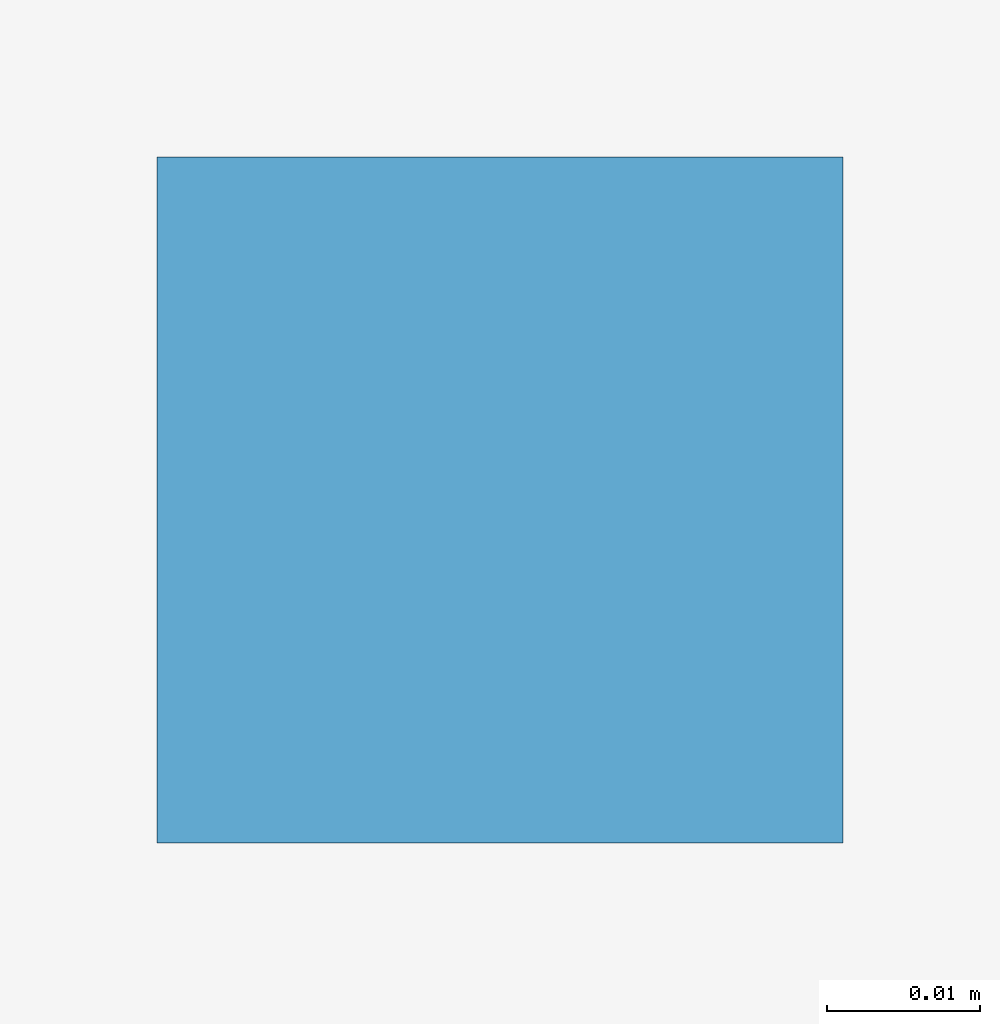
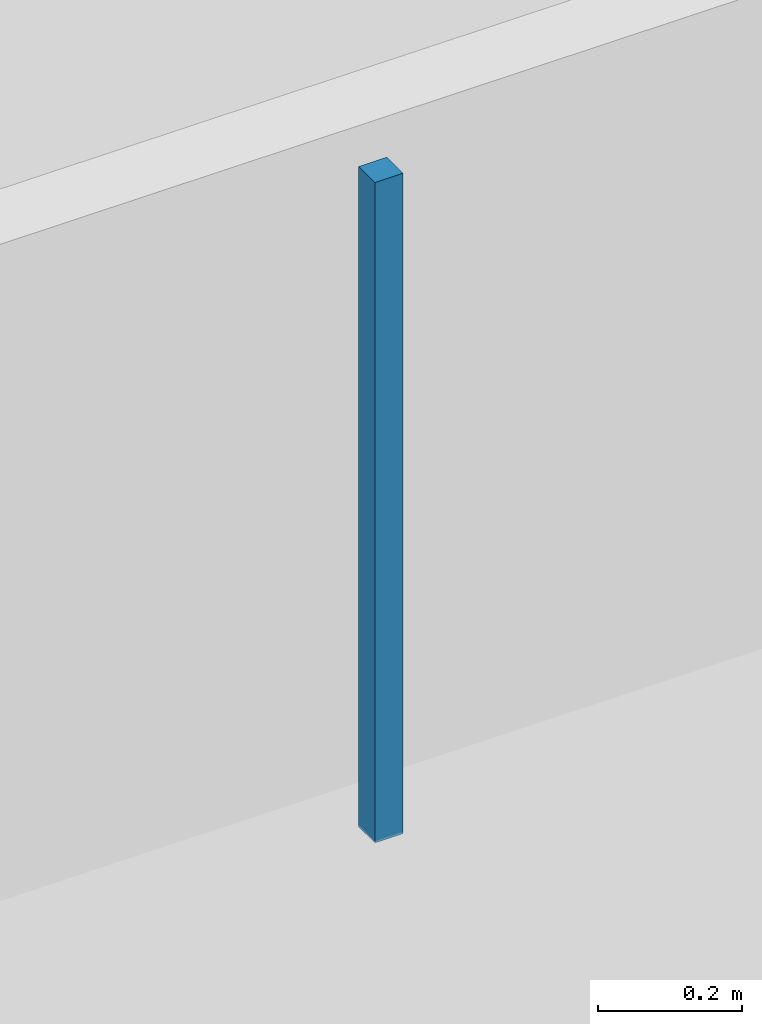
# One storey, part 115 of 140: 1 discrete accessory.
"""IFC4 building model written with IfcOpenShell, lengths in metres."""

import ifcopenshell
import ifcopenshell.guid

model = None  # the IFC model being written
_history = None  # IfcOwnerHistory: only IFC2X3 demands one
_inside = {}  # id of a spatial element -> (the spatial element, [elements in it])
_under = {}  # id of a project, library or spatial element -> (it, [spatial elements below it])
_declared = {}  # id of a project -> (the project, [libraries it declares])
_typed = {}  # id of a type object -> (the type object, [elements of that type])
_made_of = {}  # id of a material, layer set ... -> (it, [elements and type objects made of it])


def new_model(schema):
    """Start an empty IFC model of exactly this schema.

    Asked for "IFC4X3", IfcOpenShell would pick the latest addendum, in which some entities
    have other attributes; the version numbers below select the first issue.
    IFC2X3 requires an IfcOwnerHistory on every rooted entity: one is made here for all.
    """
    global model, _history
    if schema == "IFC4X3":
        model = ifcopenshell.file(schema_version=(4, 3, 0, 0))
    else:
        model = ifcopenshell.file(schema=schema)
    _inside.clear()
    _under.clear()
    _declared.clear()
    _typed.clear()
    _made_of.clear()
    _history = None
    if model.schema == "IFC2X3":
        org = make("IfcOrganization", Name="unknown")
        user = make(
            "IfcPersonAndOrganization",
            ThePerson=make("IfcPerson", FamilyName="unknown"),
            TheOrganization=org,
        )
        app = make(
            "IfcApplication",
            ApplicationDeveloper=org,
            Version="unknown",
            ApplicationFullName="unknown",
            ApplicationIdentifier="unknown",
        )
        _history = make(
            "IfcOwnerHistory",
            OwningUser=user,
            OwningApplication=app,
            ChangeAction="ADDED",
            CreationDate=0,
        )
    return model


def make(cls, **values):
    """One entity of the class cls with the attributes given. An attribute that is None is left unset."""
    return model.create_entity(
        cls, **{name: value for name, value in values.items() if value is not None}
    )


def rooted(cls, **values):
    """An entity with a GlobalId (a new one), such as an element, a storey or a relation."""
    return make(cls, GlobalId=ifcopenshell.guid.new(), OwnerHistory=_history, **values)


def si_unit(unit_type, name, prefix=None):
    """IfcSIUnit, for example si_unit("LENGTHUNIT", "METRE", prefix="MILLI")."""
    return make("IfcSIUnit", UnitType=unit_type, Prefix=prefix, Name=name)


def assignment(units):
    """IfcUnitAssignment: the units of a project."""
    return None if units is None else make("IfcUnitAssignment", Units=units)


def point(xyz):
    """IfcCartesianPoint."""
    return None if xyz is None else make("IfcCartesianPoint", Coordinates=xyz)


def direction(xyz):
    """IfcDirection."""
    return None if xyz is None else make("IfcDirection", DirectionRatios=xyz)


def frame(location, z_axis=None, x_axis=None):
    """IfcAxis2Placement3D, a coordinate frame: its origin and axes. An axis left out is left unset."""
    return make(
        "IfcAxis2Placement3D",
        Location=point(location),
        Axis=direction(z_axis),
        RefDirection=direction(x_axis),
    )


def frame_2d(location, x_axis=None):
    """IfcAxis2Placement2D, a coordinate frame in the plane: its origin and x axis."""
    return make(
        "IfcAxis2Placement2D", Location=point(location), RefDirection=direction(x_axis)
    )


def origin():
    """The frame at (0, 0, 0) with its axes left unset."""
    return frame((0.0, 0.0, 0.0))


def origin_2d():
    """The frame at (0, 0) in the plane with its x axis left unset."""
    return frame_2d((0.0, 0.0))


def place(relative_to, where):
    """IfcLocalPlacement: puts the frame where relative to a parent placement (None: the world)."""
    return make(
        "IfcLocalPlacement", PlacementRelTo=relative_to, RelativePlacement=where
    )


def context(
    kind, dimensions, precision=None, world=None, true_north=None, identifier=None
):
    """IfcGeometricRepresentationContext, for example the 3D "Model" context."""
    return make(
        "IfcGeometricRepresentationContext",
        ContextIdentifier=identifier,
        ContextType=kind,
        CoordinateSpaceDimension=dimensions,
        Precision=precision,
        WorldCoordinateSystem=world,
        TrueNorth=true_north,
    )


def subcontext(parent, identifier, kind, view, scale=None):
    """IfcGeometricRepresentationSubContext, for example "Body" below "Model"."""
    return make(
        "IfcGeometricRepresentationSubContext",
        ContextIdentifier=identifier,
        ContextType=kind,
        ParentContext=parent,
        TargetScale=scale,
        TargetView=view,
    )


def project(units=None, contexts=None):
    """IfcProject with its units and contexts."""
    return rooted(
        "IfcProject",
        Name="project",
        RepresentationContexts=contexts,
        UnitsInContext=assignment(units),
    )


def spatial(cls, under=None, at=None, **own):
    """A site, building, storey or space (cls), placed at a placement, below another one or the project."""
    s = rooted(cls, ObjectPlacement=at, **own)
    if under is not None:
        _under.setdefault(under.id(), (under, []))[1].append(s)
    return s


def profile(cls, at=None, kind="AREA", **sizes):
    """A parametric profile (cls). Its sizes go by their IFC names, for example OverallWidth=200.0."""
    return make(cls, ProfileType=kind, Position=at, **sizes)


def rectangle(**sizes):
    """IfcRectangleProfileDef."""
    return profile("IfcRectangleProfileDef", **sizes)


def extrude(swept, where, along, depth):
    """IfcExtrudedAreaSolid: the profile swept, set in the frame where, extruded along a direction by depth."""
    return make(
        "IfcExtrudedAreaSolid",
        SweptArea=swept,
        Position=where,
        ExtrudedDirection=direction(along),
        Depth=depth,
    )


def shape(context_of_items, identifier, shape_type, items):
    """IfcShapeRepresentation: the items that make up one representation, for example the "Body"."""
    return make(
        "IfcShapeRepresentation",
        ContextOfItems=context_of_items,
        RepresentationIdentifier=identifier,
        RepresentationType=shape_type,
        Items=items,
    )


def material(Name=None, Category=None):
    """IfcMaterial."""
    return make("IfcMaterial", Name=Name, Category=Category)


def made_of(thing, what):
    """Note that an element or type object is made of a material, layer set ...; save() writes the relation."""
    if what is not None:
        _made_of.setdefault(what.id(), (what, []))[1].append(thing)
    return thing


def type_object(cls, material=None, **own):
    """A type object (cls), such as IfcWallType, which elements share."""
    return made_of(rooted(cls, **own), material)


def element(
    cls,
    number,
    at=None,
    inside=None,
    cuts=None,
    type_object=None,
    material=None,
    context=None,
    identifier="Body",
    shape_type=None,
    held_by="IfcProductDefinitionShape",
    body=None,
    shapes=None,
    **own,
):
    """One element of the class cls, such as IfcWall. Its Tag is "e" and its number.

    at: its placement. inside: the storey or other place that contains it. cuts: it is an
    opening in that element (IfcRelVoidsElement). A single representation is given by context,
    identifier, shape_type and body (its items); several are given by shapes. held_by: the class
    of the entity that holds the representations. save() writes the other relations.
    """
    e = rooted(cls, Tag="e%d" % number, ObjectPlacement=at, **own)
    if body is not None:
        shapes = [shape(context, identifier, shape_type, body)]
    if shapes is not None:
        e.Representation = make(held_by, Representations=shapes)
    if inside is not None:
        _inside.setdefault(inside.id(), (inside, []))[1].append(e)
    if cuts is not None:
        rooted(
            "IfcRelVoidsElement", RelatingBuildingElement=cuts, RelatedOpeningElement=e
        )
    if type_object is not None:
        _typed.setdefault(type_object.id(), (type_object, []))[1].append(e)
    return made_of(e, material)


def aggregate(whole, parts):
    """IfcRelAggregates: a whole, such as a stair, and the parts it consists of."""
    return rooted("IfcRelAggregates", RelatingObject=whole, RelatedObjects=parts)


def save(model, path):
    """Write the relations noted so far, then the file.

    IfcRelAggregates (storeys below a building ...), IfcRelContainedInSpatialStructure (elements
    in a storey), IfcRelDefinesByType, IfcRelAssociatesMaterial and IfcRelDeclares: one each for
    every whole, place, type object, material and project.
    """
    for whole, parts in _under.values():
        aggregate(whole, parts)
    for where, things in _inside.values():
        rooted(
            "IfcRelContainedInSpatialStructure",
            RelatedElements=things,
            RelatingStructure=where,
        )
    for kind, things in _typed.values():
        rooted("IfcRelDefinesByType", RelatedObjects=things, RelatingType=kind)
    for what, things in _made_of.values():
        rooted("IfcRelAssociatesMaterial", RelatedObjects=things, RelatingMaterial=what)
    for by, libraries in _declared.values():
        rooted("IfcRelDeclares", RelatingContext=by, RelatedDefinitions=libraries)
    model.write(path)


model = new_model("IFC4")

# Units and contexts
model_context = context("Model", 3, precision=1e-05, world=origin(), true_north=direction((0.0, 1.0)))
body_context = subcontext(model_context, "Body", "Model", "MODEL_VIEW")
ifc_project = project(units=[si_unit("LENGTHUNIT", "METRE"), si_unit("AREAUNIT", "SQUARE_METRE"), si_unit("VOLUMEUNIT", "CUBIC_METRE"), si_unit("PLANEANGLEUNIT", "RADIAN"), si_unit("MASSUNIT", "GRAM", prefix="KILO"), si_unit("THERMODYNAMICTEMPERATUREUNIT", "KELVIN"), si_unit("POWERUNIT", "WATT")], contexts=[model_context])

# Site, building, storey
site_placement = place(None, origin())
site = spatial("IfcSite", under=ifc_project, at=site_placement, CompositionType="ELEMENT")
building_placement = place(site_placement, origin())
building = spatial("IfcBuilding", under=site, at=building_placement, Name="Tallowbark Science Centre", CompositionType="ELEMENT")
storey_placement = place(building_placement, frame((0.0, 0.0, 9.89990234375)))
storey = spatial("IfcBuildingStorey", under=building, at=storey_placement, Name="L02", CompositionType="ELEMENT", Elevation=9.89990234375)

# Discrete accessory
ifc_material = material(Name="Galvanised Steel Grade C350L0 (350 MPa)", Category="steel")
discrete_accessory_type = type_object("IfcDiscreteAccessoryType", Name="ACC-CLG-HNG", PredefinedType="BRACKET", material=ifc_material)
discrete_accessory_placement = place(storey_placement, frame((116.1875, 90.630615234375, 3.2060546875), z_axis=(0.0, 0.0, 1.0), x_axis=(1.0, 0.0, 0.0)))
element("IfcDiscreteAccessory", 1, at=discrete_accessory_placement, inside=storey, type_object=discrete_accessory_type, Name="Ceiling Hanger Bracket L02-911", PredefinedType="BRACKET", context=body_context, shape_type="SweptSolid", body=[
    extrude(rectangle(XDim=0.044921875, YDim=0.044921875, at=origin_2d()), origin(), (0.0, 0.0, 1.0), 1.116943359375),
])

save(model, "model.ifc")
